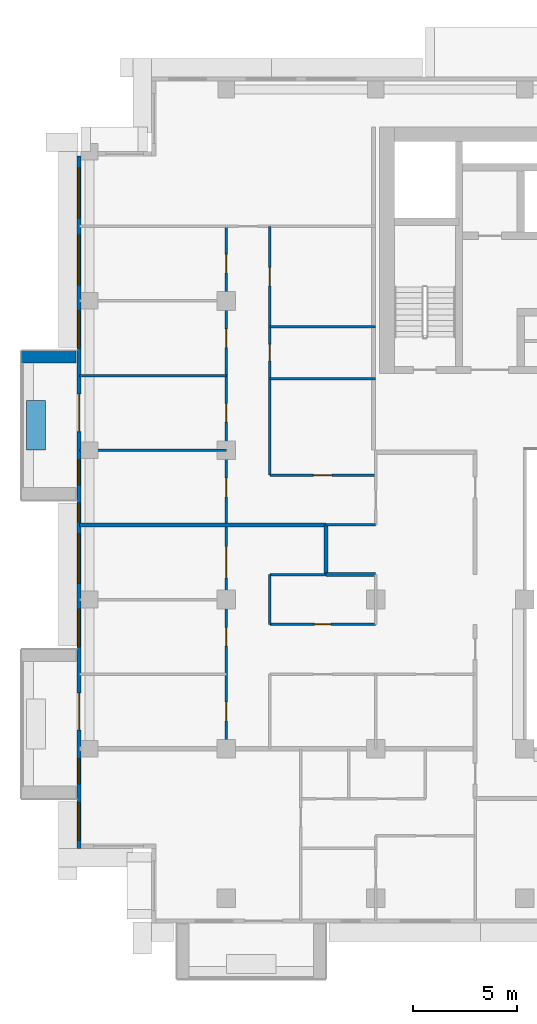
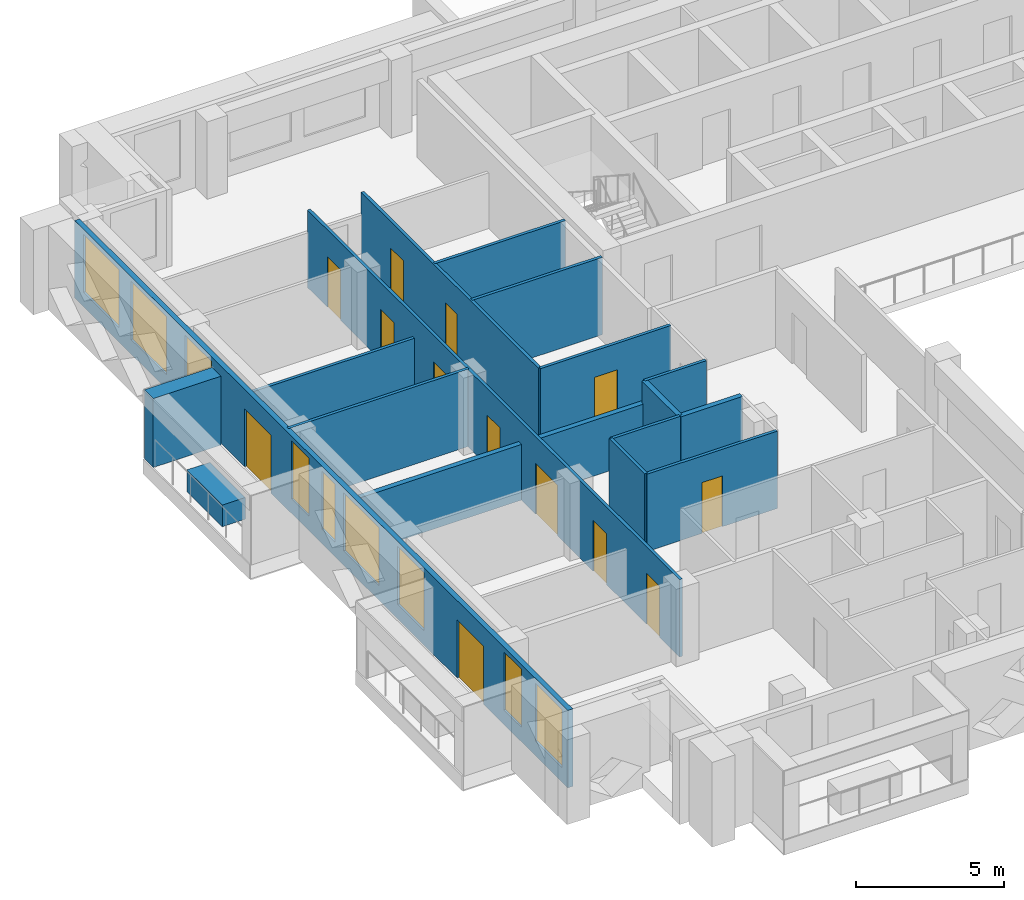
# One storey, part 7 of 20: 17 walls, 13 doors, 9 windows, 22 openings.
"""IFC4 building model written with IfcOpenShell, lengths in metres."""

from ifc_helpers import new_model, si_unit, direction, frame, frame_2d, origin, place, context, subcontext, project, spatial, rectangle, extrude, material, layer, layer_set, type_object, element, fill, save


model = new_model("IFC4")

# Units and contexts
model_context = context("Model", 3, precision=1e-05, world=origin(), true_north=direction((0.0, 1.0)))
body_context = subcontext(model_context, "Body", "Model", "MODEL_VIEW")
ifc_project = project(units=[si_unit("LENGTHUNIT", "METRE"), si_unit("AREAUNIT", "SQUARE_METRE"), si_unit("VOLUMEUNIT", "CUBIC_METRE"), si_unit("PLANEANGLEUNIT", "RADIAN"), si_unit("MASSUNIT", "GRAM", prefix="KILO")], contexts=[model_context])

# Site, building, storey
site_placement = place(None, origin())
site = spatial("IfcSite", under=ifc_project, at=site_placement, CompositionType="ELEMENT")
building_placement = place(site_placement, origin())
building = spatial("IfcBuilding", under=site, at=building_placement, Name="Saffron Iwan Residences", CompositionType="ELEMENT")
storey_placement = place(building_placement, frame((0.0, 0.0, 192.0)))
storey = spatial("IfcBuildingStorey", under=building, at=storey_placement, Name="L51", CompositionType="ELEMENT", Elevation=192.0)

# Walls
ifc_material_1 = material(Name="Concrete C50/60 white painted", Category="concrete")
ifc_layer_1 = layer(ifc_material_1, 0.60009765625)
ifc_layer_set_1 = layer_set([ifc_layer_1], Name="Concrete C50/60 white painted")
wall_type_1 = type_object("IfcWallType", Name="BALCONY FIN 600", PredefinedType="SOLIDWALL", material=ifc_layer_set_1)
wall_1_placement = place(storey_placement, frame((14.35009765625, 66.89990234375, 0.0), z_axis=(0.0, 0.0, 1.0), x_axis=(-1.0, 0.0, 0.0)))
element("IfcWall", 1, at=wall_1_placement, inside=storey, type_object=wall_type_1, Name="Balcony fin L51 F8-0a", PredefinedType="SOLIDWALL", context=body_context, shape_type="SweptSolid", body=[
    extrude(rectangle(XDim=2.650146484375, YDim=0.60009765625, at=frame_2d((1.3251953125, 0.0))), origin(), (0.0, 0.0, 1.0), 2.85009765625),
])
ifc_material_2 = material(Name="Concrete C35/45 white painted", Category="concrete")
ifc_layer_2 = layer(ifc_material_2, 0.14990234375)
ifc_layer_set_2 = layer_set([ifc_layer_2], Name="Concrete C35/45 white painted")
wall_type_2 = type_object("IfcWallType", Name="BALCONY PLANTER", PredefinedType="SOLIDWALL", material=ifc_layer_set_2)
wall_2_placement = place(storey_placement, frame((12.425048828125, 64.800048828125, 0.0), z_axis=(0.0, 0.0, 1.0), x_axis=(0.0, -1.0, 0.0)))
element("IfcWall", 2, at=wall_2_placement, inside=storey, type_object=wall_type_2, Name="PLANTER L51 F8-0", PredefinedType="SOLIDWALL", context=body_context, shape_type="SweptSolid", body=[
    extrude(rectangle(XDim=2.400146484375, YDim=0.89990234375, at=frame_2d((1.2001953125, 0.0))), origin(), (0.0, 0.0, 1.0), 0.89990234375),
])

# Wall, openings, doors, windows
ifc_material_3 = material(Name="Concrete C40/50", Category="concrete")
ifc_layer_3 = layer(ifc_material_3, 0.199951171875)
ifc_layer_set_3 = layer_set([ifc_layer_3], Name="Concrete C40/50")
wall_type_3 = type_object("IfcWallType", Name="EXTERNAL WALL 200", PredefinedType="SOLIDWALL", material=ifc_layer_set_3)
wall_3_placement = place(storey_placement, frame((14.5, 76.60009765625, 0.0), z_axis=(0.0, 0.0, 1.0), x_axis=(0.0, -1.0, 0.0)))
wall_3 = element("IfcWall", 3, at=wall_3_placement, inside=storey, type_object=wall_type_3, Name="External wall L51 F8.0", PredefinedType="SOLIDWALL", context=body_context, shape_type="SweptSolid", body=[
    extrude(rectangle(XDim=33.400146484375, YDim=0.199951171875, at=frame_2d((16.7001953125, 0.0))), origin(), (0.0, 0.0, 1.0), 3.199951171875),
])
opening_1_placement = place(wall_3_placement, frame((11.5, 0.0, 0.0)))
opening_1 = element("IfcOpeningElement", 4, at=opening_1_placement, cuts=wall_3, Name="Opening BD1", PredefinedType="OPENING", context=body_context, shape_type="SweptSolid", body=[
    extrude(rectangle(XDim=1.800048828125, YDim=2.39990234375, at=frame_2d((0.89990234375, 1.199951171875))), frame((0.0, 0.10986328125, 0.0), z_axis=(0.0, -1.0, 0.0), x_axis=(1.0, 0.0, 0.0)), (0.0, 0.0, 1.0), 0.219970703125),
])
opening_2_placement = place(wall_3_placement, frame((25.89990234375, 0.0, 0.0)))
opening_2 = element("IfcOpeningElement", 5, at=opening_2_placement, cuts=wall_3, Name="Opening BD1", PredefinedType="OPENING", context=body_context, shape_type="SweptSolid", body=[
    extrude(rectangle(XDim=1.800048828125, YDim=2.39990234375, at=frame_2d((0.89990234375, 1.199951171875))), frame((0.0, 0.10986328125, 0.0), z_axis=(0.0, -1.0, 0.0), x_axis=(1.0, 0.0, 0.0)), (0.0, 0.0, 1.0), 0.219970703125),
])
opening_3_placement = place(wall_3_placement, frame((29.074951171875, 0.0, 0.60009765625)))
opening_3 = element("IfcOpeningElement", 6, at=opening_3_placement, cuts=wall_3, Name="Opening W3", PredefinedType="OPENING", context=body_context, shape_type="SweptSolid", body=[
    extrude(rectangle(XDim=1.199951171875, YDim=2.39990234375, at=frame_2d((0.60009765625, 1.199951171875))), frame((0.0, 0.10986328125, 0.0), z_axis=(0.0, -1.0, 0.0), x_axis=(1.0, 0.0, 0.0)), (0.0, 0.0, 1.0), 0.219970703125),
])
opening_4_placement = place(wall_3_placement, frame((31.199951171875, 0.0, 0.60009765625)))
opening_4 = element("IfcOpeningElement", 7, at=opening_4_placement, cuts=wall_3, Name="Opening W8", PredefinedType="OPENING", context=body_context, shape_type="SweptSolid", body=[
    extrude(rectangle(XDim=1.800048828125, YDim=2.39990234375, at=frame_2d((0.89990234375, 1.199951171875))), frame((0.0, 0.10986328125, 0.0), z_axis=(0.0, -1.0, 0.0), x_axis=(1.0, 0.0, 0.0)), (0.0, 0.0, 1.0), 0.219970703125),
])
opening_5_placement = place(wall_3_placement, frame((21.875, 0.0, 0.60009765625)))
opening_5 = element("IfcOpeningElement", 8, at=opening_5_placement, cuts=wall_3, Name="Opening W8", PredefinedType="OPENING", context=body_context, shape_type="SweptSolid", body=[
    extrude(rectangle(XDim=1.800048828125, YDim=2.39990234375, at=frame_2d((0.89990234375, 1.199951171875))), frame((0.0, 0.10986328125, 0.0), z_axis=(0.0, -1.0, 0.0), x_axis=(1.0, 0.0, 0.0)), (0.0, 0.0, 1.0), 0.219970703125),
])
opening_6_placement = place(wall_3_placement, frame((18.22509765625, 0.0, 0.60009765625)))
opening_6 = element("IfcOpeningElement", 9, at=opening_6_placement, cuts=wall_3, Name="Opening W1", PredefinedType="OPENING", context=body_context, shape_type="SweptSolid", body=[
    extrude(rectangle(XDim=2.39990234375, YDim=2.39990234375, at=frame_2d((1.199951171875, 1.199951171875))), frame((0.0, 0.10986328125, 0.0), z_axis=(0.0, -1.0, 0.0), x_axis=(1.0, 0.0, 0.0)), (0.0, 0.0, 1.0), 0.219970703125),
])
opening_7_placement = place(wall_3_placement, frame((14.675048828125, 0.0, 0.60009765625)))
opening_7 = element("IfcOpeningElement", 10, at=opening_7_placement, cuts=wall_3, Name="Opening W3", PredefinedType="OPENING", context=body_context, shape_type="SweptSolid", body=[
    extrude(rectangle(XDim=1.199951171875, YDim=2.39990234375, at=frame_2d((0.60009765625, 1.199951171875))), frame((0.0, 0.10986328125, 0.0), z_axis=(0.0, -1.0, 0.0), x_axis=(1.0, 0.0, 0.0)), (0.0, 0.0, 1.0), 0.219970703125),
])
opening_8_placement = place(wall_3_placement, frame((16.75, 0.0, 0.60009765625)))
opening_8 = element("IfcOpeningElement", 11, at=opening_8_placement, cuts=wall_3, Name="Opening W10", PredefinedType="OPENING", context=body_context, shape_type="SweptSolid", body=[
    extrude(rectangle(XDim=0.89990234375, YDim=2.39990234375, at=frame_2d((0.449951171875, 1.199951171875))), frame((0.0, 0.10986328125, 0.0), z_axis=(0.0, -1.0, 0.0), x_axis=(1.0, 0.0, 0.0)), (0.0, 0.0, 1.0), 0.219970703125),
])
opening_9_placement = place(wall_3_placement, frame((7.47509765625, 0.0, 0.60009765625)))
opening_9 = element("IfcOpeningElement", 12, at=opening_9_placement, cuts=wall_3, Name="Opening W8", PredefinedType="OPENING", context=body_context, shape_type="SweptSolid", body=[
    extrude(rectangle(XDim=1.800048828125, YDim=2.39990234375, at=frame_2d((0.89990234375, 1.199951171875))), frame((0.0, 0.10986328125, 0.0), z_axis=(0.0, -1.0, 0.0), x_axis=(1.0, 0.0, 0.0)), (0.0, 0.0, 1.0), 0.219970703125),
])
opening_10_placement = place(wall_3_placement, frame((3.824951171875, 0.0, 0.60009765625)))
opening_10 = element("IfcOpeningElement", 13, at=opening_10_placement, cuts=wall_3, Name="Opening W1", PredefinedType="OPENING", context=body_context, shape_type="SweptSolid", body=[
    extrude(rectangle(XDim=2.39990234375, YDim=2.39990234375, at=frame_2d((1.199951171875, 1.199951171875))), frame((0.0, 0.10986328125, 0.0), z_axis=(0.0, -1.0, 0.0), x_axis=(1.0, 0.0, 0.0)), (0.0, 0.0, 1.0), 0.219970703125),
])
opening_11_placement = place(wall_3_placement, frame((0.60009765625, 0.0, 0.60009765625)))
opening_11 = element("IfcOpeningElement", 14, at=opening_11_placement, cuts=wall_3, Name="Opening W1", PredefinedType="OPENING", context=body_context, shape_type="SweptSolid", body=[
    extrude(rectangle(XDim=2.39990234375, YDim=2.39990234375, at=frame_2d((1.199951171875, 1.199951171875))), frame((0.0, 0.10986328125, 0.0), z_axis=(0.0, -1.0, 0.0), x_axis=(1.0, 0.0, 0.0)), (0.0, 0.0, 1.0), 0.219970703125),
])
ifc_material_4 = material(Name="Clear glass, laminated double glazed", Category="glass")
door_type_1 = type_object("IfcDoorType", Name="BALCONY DOOR 1800 x 2400", OperationType="DOUBLE_DOOR_SLIDING", PredefinedType="DOOR", material=ifc_material_4)
door_1_placement = place(opening_1_placement, origin())
door_1 = element("IfcDoor", 15, at=door_1_placement, inside=storey, type_object=door_type_1, Name="Balcony door L51 F8.0", OperationType="DOUBLE_DOOR_SLIDING", OverallHeight=2.39990234375, OverallWidth=1.800048828125, PredefinedType="DOOR", context=body_context, shape_type="SweptSolid", body=[
    extrude(rectangle(XDim=1.800048828125, YDim=2.39990234375, at=frame_2d((0.89990234375, 1.199951171875))), frame((0.0, 0.02490234375, 0.0), z_axis=(0.0, -1.0, 0.0), x_axis=(1.0, 0.0, 0.0)), (0.0, 0.0, 1.0), 0.050048828125),
])
fill(opening_1, door_1)
door_2_placement = place(opening_2_placement, origin())
door_2 = element("IfcDoor", 16, at=door_2_placement, inside=storey, type_object=door_type_1, Name="Balcony door L51 F8.1", OperationType="DOUBLE_DOOR_SLIDING", OverallHeight=2.39990234375, OverallWidth=1.800048828125, PredefinedType="DOOR", context=body_context, shape_type="SweptSolid", body=[
    extrude(rectangle(XDim=1.800048828125, YDim=2.39990234375, at=frame_2d((0.89990234375, 1.199951171875))), frame((0.0, 0.02490234375, 0.0), z_axis=(0.0, -1.0, 0.0), x_axis=(1.0, 0.0, 0.0)), (0.0, 0.0, 1.0), 0.050048828125),
])
fill(opening_2, door_2)
window_type_1 = type_object("IfcWindowType", Name="WINDOW 1200 x 2400", PartitioningType="SINGLE_PANEL", PredefinedType="WINDOW", material=ifc_material_4)
window_1_placement = place(opening_3_placement, origin())
window_1 = element("IfcWindow", 17, at=window_1_placement, inside=storey, type_object=window_type_1, Name="Window L51 F8.2", OverallHeight=2.39990234375, OverallWidth=1.199951171875, PartitioningType="SINGLE_PANEL", PredefinedType="WINDOW", context=body_context, shape_type="SweptSolid", body=[
    extrude(rectangle(XDim=1.199951171875, YDim=2.39990234375, at=frame_2d((0.60009765625, 1.199951171875))), frame((0.0, 0.030029296875, 0.0), z_axis=(0.0, -1.0, 0.0), x_axis=(1.0, 0.0, 0.0)), (0.0, 0.0, 1.0), 0.06005859375),
])
fill(opening_3, window_1)
window_2_placement = place(opening_7_placement, origin())
window_2 = element("IfcWindow", 18, at=window_2_placement, inside=storey, type_object=window_type_1, Name="Window L51 F8.6", OverallHeight=2.39990234375, OverallWidth=1.199951171875, PartitioningType="SINGLE_PANEL", PredefinedType="WINDOW", context=body_context, shape_type="SweptSolid", body=[
    extrude(rectangle(XDim=1.199951171875, YDim=2.39990234375, at=frame_2d((0.60009765625, 1.199951171875))), frame((0.0, 0.030029296875, 0.0), z_axis=(0.0, -1.0, 0.0), x_axis=(1.0, 0.0, 0.0)), (0.0, 0.0, 1.0), 0.06005859375),
])
fill(opening_7, window_2)
window_type_2 = type_object("IfcWindowType", Name="WINDOW 1800 x 2400", PartitioningType="DOUBLE_PANEL_VERTICAL", PredefinedType="WINDOW", material=ifc_material_4)
window_3_placement = place(opening_4_placement, origin())
window_3 = element("IfcWindow", 19, at=window_3_placement, inside=storey, type_object=window_type_2, Name="Window L51 F8.3", OverallHeight=2.39990234375, OverallWidth=1.800048828125, PartitioningType="DOUBLE_PANEL_VERTICAL", PredefinedType="WINDOW", context=body_context, shape_type="SweptSolid", body=[
    extrude(rectangle(XDim=1.800048828125, YDim=2.39990234375, at=frame_2d((0.89990234375, 1.199951171875))), frame((0.0, 0.030029296875, 0.0), z_axis=(0.0, -1.0, 0.0), x_axis=(1.0, 0.0, 0.0)), (0.0, 0.0, 1.0), 0.06005859375),
])
fill(opening_4, window_3)
window_4_placement = place(opening_5_placement, origin())
window_4 = element("IfcWindow", 20, at=window_4_placement, inside=storey, type_object=window_type_2, Name="Window L51 F8.4", OverallHeight=2.39990234375, OverallWidth=1.800048828125, PartitioningType="DOUBLE_PANEL_VERTICAL", PredefinedType="WINDOW", context=body_context, shape_type="SweptSolid", body=[
    extrude(rectangle(XDim=1.800048828125, YDim=2.39990234375, at=frame_2d((0.89990234375, 1.199951171875))), frame((0.0, 0.030029296875, 0.0), z_axis=(0.0, -1.0, 0.0), x_axis=(1.0, 0.0, 0.0)), (0.0, 0.0, 1.0), 0.06005859375),
])
fill(opening_5, window_4)
window_5_placement = place(opening_9_placement, origin())
window_5 = element("IfcWindow", 21, at=window_5_placement, inside=storey, type_object=window_type_2, Name="Window L51 F8.8", OverallHeight=2.39990234375, OverallWidth=1.800048828125, PartitioningType="DOUBLE_PANEL_VERTICAL", PredefinedType="WINDOW", context=body_context, shape_type="SweptSolid", body=[
    extrude(rectangle(XDim=1.800048828125, YDim=2.39990234375, at=frame_2d((0.89990234375, 1.199951171875))), frame((0.0, 0.030029296875, 0.0), z_axis=(0.0, -1.0, 0.0), x_axis=(1.0, 0.0, 0.0)), (0.0, 0.0, 1.0), 0.06005859375),
])
fill(opening_9, window_5)
window_type_3 = type_object("IfcWindowType", Name="WINDOW 2400 x 2400", PartitioningType="DOUBLE_PANEL_VERTICAL", PredefinedType="WINDOW", material=ifc_material_4)
window_6_placement = place(opening_6_placement, origin())
window_6 = element("IfcWindow", 22, at=window_6_placement, inside=storey, type_object=window_type_3, Name="Window L51 F8.5", OverallHeight=2.39990234375, OverallWidth=2.39990234375, PartitioningType="DOUBLE_PANEL_VERTICAL", PredefinedType="WINDOW", context=body_context, shape_type="SweptSolid", body=[
    extrude(rectangle(XDim=2.39990234375, YDim=2.39990234375, at=frame_2d((1.199951171875, 1.199951171875))), frame((0.0, 0.030029296875, 0.0), z_axis=(0.0, -1.0, 0.0), x_axis=(1.0, 0.0, 0.0)), (0.0, 0.0, 1.0), 0.06005859375),
])
fill(opening_6, window_6)
window_7_placement = place(opening_10_placement, origin())
window_7 = element("IfcWindow", 23, at=window_7_placement, inside=storey, type_object=window_type_3, Name="Window L51 F8.9", OverallHeight=2.39990234375, OverallWidth=2.39990234375, PartitioningType="DOUBLE_PANEL_VERTICAL", PredefinedType="WINDOW", context=body_context, shape_type="SweptSolid", body=[
    extrude(rectangle(XDim=2.39990234375, YDim=2.39990234375, at=frame_2d((1.199951171875, 1.199951171875))), frame((0.0, 0.030029296875, 0.0), z_axis=(0.0, -1.0, 0.0), x_axis=(1.0, 0.0, 0.0)), (0.0, 0.0, 1.0), 0.06005859375),
])
fill(opening_10, window_7)
window_8_placement = place(opening_11_placement, origin())
window_8 = element("IfcWindow", 24, at=window_8_placement, inside=storey, type_object=window_type_3, Name="Window L51 F8.10", OverallHeight=2.39990234375, OverallWidth=2.39990234375, PartitioningType="DOUBLE_PANEL_VERTICAL", PredefinedType="WINDOW", context=body_context, shape_type="SweptSolid", body=[
    extrude(rectangle(XDim=2.39990234375, YDim=2.39990234375, at=frame_2d((1.199951171875, 1.199951171875))), frame((0.0, 0.030029296875, 0.0), z_axis=(0.0, -1.0, 0.0), x_axis=(1.0, 0.0, 0.0)), (0.0, 0.0, 1.0), 0.06005859375),
])
fill(opening_11, window_8)
window_type_4 = type_object("IfcWindowType", Name="WINDOW 900 x 2400", PartitioningType="SINGLE_PANEL", PredefinedType="WINDOW", material=ifc_material_4)
window_9_placement = place(opening_8_placement, origin())
window_9 = element("IfcWindow", 25, at=window_9_placement, inside=storey, type_object=window_type_4, Name="Window L51 F8.7", OverallHeight=2.39990234375, OverallWidth=0.89990234375, PartitioningType="SINGLE_PANEL", PredefinedType="WINDOW", context=body_context, shape_type="SweptSolid", body=[
    extrude(rectangle(XDim=0.89990234375, YDim=2.39990234375, at=frame_2d((0.449951171875, 1.199951171875))), frame((0.0, 0.030029296875, 0.0), z_axis=(0.0, -1.0, 0.0), x_axis=(1.0, 0.0, 0.0)), (0.0, 0.0, 1.0), 0.06005859375),
])
fill(opening_8, window_9)

# Walls
ifc_material_5 = material(Name="Fire-rated gypsum board wall")
ifc_layer_4 = layer(ifc_material_5, 0.199951171875)
ifc_layer_set_4 = layer_set([ifc_layer_4], Name="Fire-rated gypsum board wall")
wall_type_4 = type_object("IfcWallType", Name="Flat demising wall 200", PredefinedType="SOLIDWALL", material=ifc_layer_set_4)
wall_4_placement = place(storey_placement, frame((26.39990234375, 56.39990234375, 0.0), z_axis=(0.0, 0.0, 1.0), x_axis=(1.0, 0.0, 0.0)))
element("IfcWall", 26, at=wall_4_placement, inside=storey, type_object=wall_type_4, Name="W-L51-DEMISE-h56.4-26.4", PredefinedType="SOLIDWALL", context=body_context, shape_type="SweptSolid", body=[
    extrude(rectangle(XDim=2.400146484375, YDim=0.199951171875, at=frame_2d((1.2001953125, 0.0))), origin(), (0.0, 0.0, 1.0), 3.199951171875),
])
wall_5_placement = place(storey_placement, frame((14.52490234375, 58.800048828125, 0.0), z_axis=(0.0, 0.0, 1.0), x_axis=(1.0, 0.0, 0.0)))
element("IfcWall", 27, at=wall_5_placement, inside=storey, type_object=wall_type_4, Name="W-L51-DEMISE-h58.8-14.525", PredefinedType="SOLIDWALL", context=body_context, shape_type="SweptSolid", body=[
    extrude(rectangle(XDim=11.875, YDim=0.199951171875, at=frame_2d((5.9375, 0.0))), origin(), (0.0, 0.0, 1.0), 2.300048828125),
])
wall_6_placement = place(storey_placement, frame((26.39990234375, 56.39990234375, 0.0), z_axis=(0.0, 0.0, 1.0), x_axis=(0.0, 1.0, 0.0)))
element("IfcWall", 28, at=wall_6_placement, inside=storey, type_object=wall_type_4, Name="W-L51-DEMISE-v26.4-56.4", PredefinedType="SOLIDWALL", context=body_context, shape_type="SweptSolid", body=[
    extrude(rectangle(XDim=2.400146484375, YDim=0.199951171875, at=frame_2d((1.2001953125, 0.0))), origin(), (0.0, 0.0, 1.0), 3.199951171875),
])

# Wall, opening, door
ifc_material_6 = material(Name="Gypsum board partition")
ifc_layer_5 = layer(ifc_material_6, 0.1201171875)
ifc_layer_set_5 = layer_set([ifc_layer_5], Name="Gypsum board partition")
wall_type_5 = type_object("IfcWallType", Name="Flat partition 120", PredefinedType="PARTITIONING", material=ifc_layer_set_5)
wall_7_placement = place(storey_placement, frame((23.699951171875, 54.0, 0.0), z_axis=(0.0, 0.0, 1.0), x_axis=(1.0, 0.0, 0.0)))
wall_7 = element("IfcWall", 29, at=wall_7_placement, inside=storey, type_object=wall_type_5, Name="W-L51-PART-h54-23.7", PredefinedType="PARTITIONING", context=body_context, shape_type="SweptSolid", body=[
    extrude(rectangle(XDim=5.10009765625, YDim=0.1201171875, at=frame_2d((2.550048828125, 0.0))), origin(), (0.0, 0.0, 1.0), 3.199951171875),
])
opening_12_placement = place(wall_7_placement, frame((2.14990234375, 0.0, 0.0)))
opening_12 = element("IfcOpeningElement", 30, at=opening_12_placement, cuts=wall_7, Name="Opening FD3", PredefinedType="OPENING", context=body_context, shape_type="SweptSolid", body=[
    extrude(rectangle(XDim=0.800048828125, YDim=2.10009765625, at=frame_2d((0.39990234375, 1.050048828125))), frame((0.0, 0.070068359375, 0.0), z_axis=(0.0, -1.0, 0.0), x_axis=(1.0, 0.0, 0.0)), (0.0, 0.0, 1.0), 0.14013671875),
])
ifc_material_7 = material(Name="Timber door", Category="wood")
door_type_2 = type_object("IfcDoorType", Name="Bathroom door 800", OperationType="NOTDEFINED", PredefinedType="DOOR", material=ifc_material_7)
door_3_placement = place(opening_12_placement, origin())
door_3 = element("IfcDoor", 31, at=door_3_placement, inside=storey, type_object=door_type_2, Name="Door L51-013", OperationType="SINGLE_SWING_RIGHT", OverallHeight=2.10009765625, OverallWidth=0.800048828125, PredefinedType="DOOR", context=body_context, shape_type="SweptSolid", body=[
    extrude(rectangle(XDim=0.800048828125, YDim=2.10009765625, at=frame_2d((0.39990234375, 1.050048828125))), frame((0.0, 0.02490234375, 0.0), z_axis=(0.0, -1.0, 0.0), x_axis=(1.0, 0.0, 0.0)), (0.0, 0.0, 1.0), 0.050048828125),
])
fill(opening_12, door_3)

# Walls
wall_8_placement = place(storey_placement, frame((23.699951171875, 56.39990234375, 0.0), z_axis=(0.0, 0.0, 1.0), x_axis=(1.0, 0.0, 0.0)))
element("IfcWall", 32, at=wall_8_placement, inside=storey, type_object=wall_type_5, Name="W-L51-PART-h56.4-23.7", PredefinedType="PARTITIONING", context=body_context, shape_type="SweptSolid", body=[
    extrude(rectangle(XDim=2.699951171875, YDim=0.1201171875, at=frame_2d((1.35009765625, 0.0))), origin(), (0.0, 0.0, 1.0), 3.199951171875),
])
wall_9_placement = place(storey_placement, frame((26.39990234375, 58.800048828125, 0.0), z_axis=(0.0, 0.0, 1.0), x_axis=(1.0, 0.0, 0.0)))
element("IfcWall", 33, at=wall_9_placement, inside=storey, type_object=wall_type_5, Name="W-L51-PART-h58.8-26.4", PredefinedType="PARTITIONING", context=body_context, shape_type="SweptSolid", body=[
    extrude(rectangle(XDim=2.400146484375, YDim=0.1201171875, at=frame_2d((1.2001953125, 0.0))), origin(), (0.0, 0.0, 1.0), 3.199951171875),
])

# Wall, opening, door
wall_10_placement = place(storey_placement, frame((23.699951171875, 61.199951171875, 0.0), z_axis=(0.0, 0.0, 1.0), x_axis=(1.0, 0.0, 0.0)))
wall_10 = element("IfcWall", 34, at=wall_10_placement, inside=storey, type_object=wall_type_5, Name="W-L51-PART-h61.2-23.7", PredefinedType="PARTITIONING", context=body_context, shape_type="SweptSolid", body=[
    extrude(rectangle(XDim=5.10009765625, YDim=0.1201171875, at=frame_2d((2.550048828125, 0.0))), origin(), (0.0, 0.0, 1.0), 3.199951171875),
])
opening_13_placement = place(wall_10_placement, frame((2.10009765625, 0.0, 0.0)))
opening_13 = element("IfcOpeningElement", 35, at=opening_13_placement, cuts=wall_10, Name="Opening FD2", PredefinedType="OPENING", context=body_context, shape_type="SweptSolid", body=[
    extrude(rectangle(XDim=0.89990234375, YDim=2.10009765625, at=frame_2d((0.449951171875, 1.050048828125))), frame((0.0, 0.070068359375, 0.0), z_axis=(0.0, -1.0, 0.0), x_axis=(1.0, 0.0, 0.0)), (0.0, 0.0, 1.0), 0.14013671875),
])
door_type_3 = type_object("IfcDoorType", Name="Flat door 900", OperationType="NOTDEFINED", PredefinedType="DOOR", material=ifc_material_7)
door_4_placement = place(opening_13_placement, origin())
door_4 = element("IfcDoor", 36, at=door_4_placement, inside=storey, type_object=door_type_3, Name="Door L51-031", OperationType="SINGLE_SWING_RIGHT", OverallHeight=2.10009765625, OverallWidth=0.89990234375, PredefinedType="DOOR", context=body_context, shape_type="SweptSolid", body=[
    extrude(rectangle(XDim=0.89990234375, YDim=2.10009765625, at=frame_2d((0.449951171875, 1.050048828125))), frame((0.0, 0.02490234375, 0.0), z_axis=(0.0, -1.0, 0.0), x_axis=(1.0, 0.0, 0.0)), (0.0, 0.0, 1.0), 0.050048828125),
])
fill(opening_13, door_4)

# Walls
wall_11_placement = place(storey_placement, frame((14.52490234375, 62.39990234375, 0.0), z_axis=(0.0, 0.0, 1.0), x_axis=(1.0, 0.0, 0.0)))
element("IfcWall", 37, at=wall_11_placement, inside=storey, type_object=wall_type_5, Name="W-L51-PART-h62.4-14.525", PredefinedType="PARTITIONING", context=body_context, shape_type="SweptSolid", body=[
    extrude(rectangle(XDim=7.0751953125, YDim=0.1201171875, at=frame_2d((3.53759765625, 0.0))), origin(), (0.0, 0.0, 1.0), 3.199951171875),
])
wall_12_placement = place(storey_placement, frame((23.699951171875, 65.85009765625, 0.0), z_axis=(0.0, 0.0, 1.0), x_axis=(1.0, 0.0, 0.0)))
element("IfcWall", 38, at=wall_12_placement, inside=storey, type_object=wall_type_5, Name="W-L51-PART-h65.85-23.7", PredefinedType="PARTITIONING", context=body_context, shape_type="SweptSolid", body=[
    extrude(rectangle(XDim=5.10009765625, YDim=0.1201171875, at=frame_2d((2.550048828125, 0.0))), origin(), (0.0, 0.0, 1.0), 3.199951171875),
])
wall_13_placement = place(storey_placement, frame((14.52490234375, 66.0, 0.0), z_axis=(0.0, 0.0, 1.0), x_axis=(1.0, 0.0, 0.0)))
element("IfcWall", 39, at=wall_13_placement, inside=storey, type_object=wall_type_5, Name="W-L51-PART-h66-14.525", PredefinedType="PARTITIONING", context=body_context, shape_type="SweptSolid", body=[
    extrude(rectangle(XDim=7.0751953125, YDim=0.1201171875, at=frame_2d((3.53759765625, 0.0))), origin(), (0.0, 0.0, 1.0), 2.300048828125),
])
wall_14_placement = place(storey_placement, frame((23.699951171875, 68.35009765625, 0.0), z_axis=(0.0, 0.0, 1.0), x_axis=(1.0, 0.0, 0.0)))
element("IfcWall", 40, at=wall_14_placement, inside=storey, type_object=wall_type_5, Name="W-L51-PART-h68.35-23.7", PredefinedType="PARTITIONING", context=body_context, shape_type="SweptSolid", body=[
    extrude(rectangle(XDim=5.10009765625, YDim=0.1201171875, at=frame_2d((2.550048828125, 0.0))), origin(), (0.0, 0.0, 1.0), 3.199951171875),
])

# Wall, openings, doors
wall_15_placement = place(storey_placement, frame((21.60009765625, 48.0, 0.0), z_axis=(0.0, 0.0, 1.0), x_axis=(0.0, 1.0, 0.0)))
wall_15 = element("IfcWall", 41, at=wall_15_placement, inside=storey, type_object=wall_type_5, Name="W-L51-PART-v21.6-48", PredefinedType="PARTITIONING", context=body_context, shape_type="SweptSolid", body=[
    extrude(rectangle(XDim=25.199951171875, YDim=0.1201171875, at=frame_2d((12.60009765625, 0.0))), origin(), (0.0, 0.0, 1.0), 3.199951171875),
])
opening_14_placement = place(wall_15_placement, frame((1.35009765625, 0.0, 0.0)))
opening_14 = element("IfcOpeningElement", 42, at=opening_14_placement, cuts=wall_15, Name="Opening FD2", PredefinedType="OPENING", context=body_context, shape_type="SweptSolid", body=[
    extrude(rectangle(XDim=0.89990234375, YDim=2.10009765625, at=frame_2d((0.449951171875, 1.050048828125))), frame((0.0, 0.070068359375, 0.0), z_axis=(0.0, -1.0, 0.0), x_axis=(1.0, 0.0, 0.0)), (0.0, 0.0, 1.0), 0.14013671875),
])
opening_15_placement = place(wall_15_placement, frame((4.949951171875, 0.0, 0.0)))
opening_15 = element("IfcOpeningElement", 43, at=opening_15_placement, cuts=wall_15, Name="Opening FD2", PredefinedType="OPENING", context=body_context, shape_type="SweptSolid", body=[
    extrude(rectangle(XDim=0.89990234375, YDim=2.10009765625, at=frame_2d((0.449951171875, 1.050048828125))), frame((0.0, 0.070068359375, 0.0), z_axis=(0.0, -1.0, 0.0), x_axis=(1.0, 0.0, 0.0)), (0.0, 0.0, 1.0), 0.14013671875),
])
opening_16_placement = place(wall_15_placement, frame((8.25, 0.0, 0.0)))
opening_16 = element("IfcOpeningElement", 44, at=opening_16_placement, cuts=wall_15, Name="Opening FD4", PredefinedType="OPENING", context=body_context, shape_type="SweptSolid", body=[
    extrude(rectangle(XDim=1.5, YDim=2.10009765625, at=frame_2d((0.75, 1.050048828125))), frame((0.0, 0.070068359375, 0.0), z_axis=(0.0, -1.0, 0.0), x_axis=(1.0, 0.0, 0.0)), (0.0, 0.0, 1.0), 0.14013671875),
])
opening_17_placement = place(wall_15_placement, frame((12.14990234375, 0.0, 0.0)))
opening_17 = element("IfcOpeningElement", 45, at=opening_17_placement, cuts=wall_15, Name="Opening FD2", PredefinedType="OPENING", context=body_context, shape_type="SweptSolid", body=[
    extrude(rectangle(XDim=0.89990234375, YDim=2.10009765625, at=frame_2d((0.449951171875, 1.050048828125))), frame((0.0, 0.070068359375, 0.0), z_axis=(0.0, -1.0, 0.0), x_axis=(1.0, 0.0, 0.0)), (0.0, 0.0, 1.0), 0.14013671875),
])
opening_18_placement = place(wall_15_placement, frame((15.75, 0.0, 0.0)))
opening_18 = element("IfcOpeningElement", 46, at=opening_18_placement, cuts=wall_15, Name="Opening FD2", PredefinedType="OPENING", context=body_context, shape_type="SweptSolid", body=[
    extrude(rectangle(XDim=0.89990234375, YDim=2.10009765625, at=frame_2d((0.449951171875, 1.050048828125))), frame((0.0, 0.070068359375, 0.0), z_axis=(0.0, -1.0, 0.0), x_axis=(1.0, 0.0, 0.0)), (0.0, 0.0, 1.0), 0.14013671875),
])
opening_19_placement = place(wall_15_placement, frame((19.35009765625, 0.0, 0.0)))
opening_19 = element("IfcOpeningElement", 47, at=opening_19_placement, cuts=wall_15, Name="Opening FD2", PredefinedType="OPENING", context=body_context, shape_type="SweptSolid", body=[
    extrude(rectangle(XDim=0.89990234375, YDim=2.10009765625, at=frame_2d((0.449951171875, 1.050048828125))), frame((0.0, 0.070068359375, 0.0), z_axis=(0.0, -1.0, 0.0), x_axis=(1.0, 0.0, 0.0)), (0.0, 0.0, 1.0), 0.14013671875),
])
opening_20_placement = place(wall_15_placement, frame((22.949951171875, 0.0, 0.0)))
opening_20 = element("IfcOpeningElement", 48, at=opening_20_placement, cuts=wall_15, Name="Opening FD2", PredefinedType="OPENING", context=body_context, shape_type="SweptSolid", body=[
    extrude(rectangle(XDim=0.89990234375, YDim=2.10009765625, at=frame_2d((0.449951171875, 1.050048828125))), frame((0.0, 0.070068359375, 0.0), z_axis=(0.0, -1.0, 0.0), x_axis=(1.0, 0.0, 0.0)), (0.0, 0.0, 1.0), 0.14013671875),
])
door_type_4 = type_object("IfcDoorType", Name="Double door 1500", OperationType="NOTDEFINED", PredefinedType="DOOR", material=ifc_material_7)
door_5_placement = place(opening_16_placement, origin())
door_5 = element("IfcDoor", 49, at=door_5_placement, inside=storey, type_object=door_type_4, Name="Door L51-011", OperationType="SINGLE_SWING_LEFT", OverallHeight=2.10009765625, OverallWidth=1.5, PredefinedType="DOOR", context=body_context, shape_type="SweptSolid", body=[
    extrude(rectangle(XDim=1.5, YDim=2.10009765625, at=frame_2d((0.75, 1.050048828125))), frame((0.0, 0.02490234375, 0.0), z_axis=(0.0, -1.0, 0.0), x_axis=(1.0, 0.0, 0.0)), (0.0, 0.0, 1.0), 0.050048828125),
])
fill(opening_16, door_5)
door_6_placement = place(opening_14_placement, origin())
door_6 = element("IfcDoor", 50, at=door_6_placement, inside=storey, type_object=door_type_3, Name="Door L51-009", OperationType="SINGLE_SWING_LEFT", OverallHeight=2.10009765625, OverallWidth=0.89990234375, PredefinedType="DOOR", context=body_context, shape_type="SweptSolid", body=[
    extrude(rectangle(XDim=0.89990234375, YDim=2.10009765625, at=frame_2d((0.449951171875, 1.050048828125))), frame((0.0, 0.02490234375, 0.0), z_axis=(0.0, -1.0, 0.0), x_axis=(1.0, 0.0, 0.0)), (0.0, 0.0, 1.0), 0.050048828125),
])
fill(opening_14, door_6)
door_7_placement = place(opening_15_placement, origin())
door_7 = element("IfcDoor", 51, at=door_7_placement, inside=storey, type_object=door_type_3, Name="Door L51-010", OperationType="SINGLE_SWING_RIGHT", OverallHeight=2.10009765625, OverallWidth=0.89990234375, PredefinedType="DOOR", context=body_context, shape_type="SweptSolid", body=[
    extrude(rectangle(XDim=0.89990234375, YDim=2.10009765625, at=frame_2d((0.449951171875, 1.050048828125))), frame((0.0, 0.02490234375, 0.0), z_axis=(0.0, -1.0, 0.0), x_axis=(1.0, 0.0, 0.0)), (0.0, 0.0, 1.0), 0.050048828125),
])
fill(opening_15, door_7)
door_8_placement = place(opening_17_placement, origin())
door_8 = element("IfcDoor", 52, at=door_8_placement, inside=storey, type_object=door_type_3, Name="Door L51-026", OperationType="SINGLE_SWING_LEFT", OverallHeight=2.10009765625, OverallWidth=0.89990234375, PredefinedType="DOOR", context=body_context, shape_type="SweptSolid", body=[
    extrude(rectangle(XDim=0.89990234375, YDim=2.10009765625, at=frame_2d((0.449951171875, 1.050048828125))), frame((0.0, 0.02490234375, 0.0), z_axis=(0.0, -1.0, 0.0), x_axis=(1.0, 0.0, 0.0)), (0.0, 0.0, 1.0), 0.050048828125),
])
fill(opening_17, door_8)
door_9_placement = place(opening_18_placement, origin())
door_9 = element("IfcDoor", 53, at=door_9_placement, inside=storey, type_object=door_type_3, Name="Door L51-027", OperationType="SINGLE_SWING_LEFT", OverallHeight=2.10009765625, OverallWidth=0.89990234375, PredefinedType="DOOR", context=body_context, shape_type="SweptSolid", body=[
    extrude(rectangle(XDim=0.89990234375, YDim=2.10009765625, at=frame_2d((0.449951171875, 1.050048828125))), frame((0.0, 0.02490234375, 0.0), z_axis=(0.0, -1.0, 0.0), x_axis=(1.0, 0.0, 0.0)), (0.0, 0.0, 1.0), 0.050048828125),
])
fill(opening_18, door_9)
door_10_placement = place(opening_19_placement, origin())
door_10 = element("IfcDoor", 54, at=door_10_placement, inside=storey, type_object=door_type_3, Name="Door L51-028", OperationType="SINGLE_SWING_RIGHT", OverallHeight=2.10009765625, OverallWidth=0.89990234375, PredefinedType="DOOR", context=body_context, shape_type="SweptSolid", body=[
    extrude(rectangle(XDim=0.89990234375, YDim=2.10009765625, at=frame_2d((0.449951171875, 1.050048828125))), frame((0.0, 0.02490234375, 0.0), z_axis=(0.0, -1.0, 0.0), x_axis=(1.0, 0.0, 0.0)), (0.0, 0.0, 1.0), 0.050048828125),
])
fill(opening_19, door_10)
door_11_placement = place(opening_20_placement, origin())
door_11 = element("IfcDoor", 55, at=door_11_placement, inside=storey, type_object=door_type_3, Name="Door L51-029", OperationType="SINGLE_SWING_LEFT", OverallHeight=2.10009765625, OverallWidth=0.89990234375, PredefinedType="DOOR", context=body_context, shape_type="SweptSolid", body=[
    extrude(rectangle(XDim=0.89990234375, YDim=2.10009765625, at=frame_2d((0.449951171875, 1.050048828125))), frame((0.0, 0.02490234375, 0.0), z_axis=(0.0, -1.0, 0.0), x_axis=(1.0, 0.0, 0.0)), (0.0, 0.0, 1.0), 0.050048828125),
])
fill(opening_20, door_11)

# Wall
wall_16_placement = place(storey_placement, frame((23.699951171875, 54.0, 0.0), z_axis=(0.0, 0.0, 1.0), x_axis=(0.0, 1.0, 0.0)))
element("IfcWall", 56, at=wall_16_placement, inside=storey, type_object=wall_type_5, Name="W-L51-PART-v23.7-54", PredefinedType="PARTITIONING", context=body_context, shape_type="SweptSolid", body=[
    extrude(rectangle(XDim=2.39990234375, YDim=0.1201171875, at=frame_2d((1.199951171875, 0.0))), origin(), (0.0, 0.0, 1.0), 3.199951171875),
])

# Wall, openings, doors
wall_17_placement = place(storey_placement, frame((23.699951171875, 61.199951171875, 0.0), z_axis=(0.0, 0.0, 1.0), x_axis=(0.0, 1.0, 0.0)))
wall_17 = element("IfcWall", 57, at=wall_17_placement, inside=storey, type_object=wall_type_5, Name="W-L51-PART-v23.7-61.2", PredefinedType="PARTITIONING", context=body_context, shape_type="SweptSolid", body=[
    extrude(rectangle(XDim=12.0, YDim=0.1201171875, at=frame_2d((6.0, 0.0))), origin(), (0.0, 0.0, 1.0), 3.199951171875),
])
opening_21_placement = place(wall_17_placement, frame((5.5, 0.0, 0.0)))
opening_21 = element("IfcOpeningElement", 58, at=opening_21_placement, cuts=wall_17, Name="Opening FD3", PredefinedType="OPENING", context=body_context, shape_type="SweptSolid", body=[
    extrude(rectangle(XDim=0.800048828125, YDim=2.10009765625, at=frame_2d((0.39990234375, 1.050048828125))), frame((0.0, 0.070068359375, 0.0), z_axis=(0.0, -1.0, 0.0), x_axis=(1.0, 0.0, 0.0)), (0.0, 0.0, 1.0), 0.14013671875),
])
opening_22_placement = place(wall_17_placement, frame((9.125, 0.0, 0.0)))
opening_22 = element("IfcOpeningElement", 59, at=opening_22_placement, cuts=wall_17, Name="Opening FD2", PredefinedType="OPENING", context=body_context, shape_type="SweptSolid", body=[
    extrude(rectangle(XDim=0.89990234375, YDim=2.10009765625, at=frame_2d((0.449951171875, 1.050048828125))), frame((0.0, 0.070068359375, 0.0), z_axis=(0.0, -1.0, 0.0), x_axis=(1.0, 0.0, 0.0)), (0.0, 0.0, 1.0), 0.14013671875),
])
door_12_placement = place(opening_21_placement, origin())
door_12 = element("IfcDoor", 60, at=door_12_placement, inside=storey, type_object=door_type_2, Name="Door L51-032", OperationType="SINGLE_SWING_LEFT", OverallHeight=2.10009765625, OverallWidth=0.800048828125, PredefinedType="DOOR", context=body_context, shape_type="SweptSolid", body=[
    extrude(rectangle(XDim=0.800048828125, YDim=2.10009765625, at=frame_2d((0.39990234375, 1.050048828125))), frame((0.0, 0.02490234375, 0.0), z_axis=(0.0, -1.0, 0.0), x_axis=(1.0, 0.0, 0.0)), (0.0, 0.0, 1.0), 0.050048828125),
])
fill(opening_21, door_12)
door_13_placement = place(opening_22_placement, origin())
door_13 = element("IfcDoor", 61, at=door_13_placement, inside=storey, type_object=door_type_3, Name="Door L51-033", OperationType="SINGLE_SWING_LEFT", OverallHeight=2.10009765625, OverallWidth=0.89990234375, PredefinedType="DOOR", context=body_context, shape_type="SweptSolid", body=[
    extrude(rectangle(XDim=0.89990234375, YDim=2.10009765625, at=frame_2d((0.449951171875, 1.050048828125))), frame((0.0, 0.02490234375, 0.0), z_axis=(0.0, -1.0, 0.0), x_axis=(1.0, 0.0, 0.0)), (0.0, 0.0, 1.0), 0.050048828125),
])
fill(opening_22, door_13)

save(model, "model.ifc")
